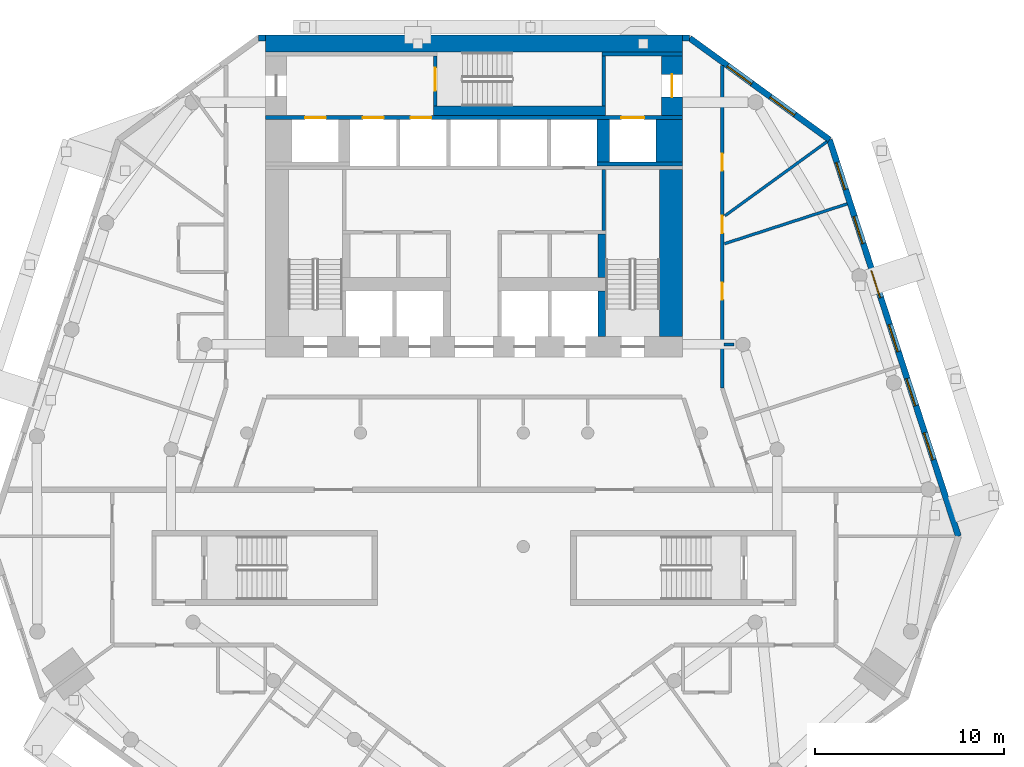
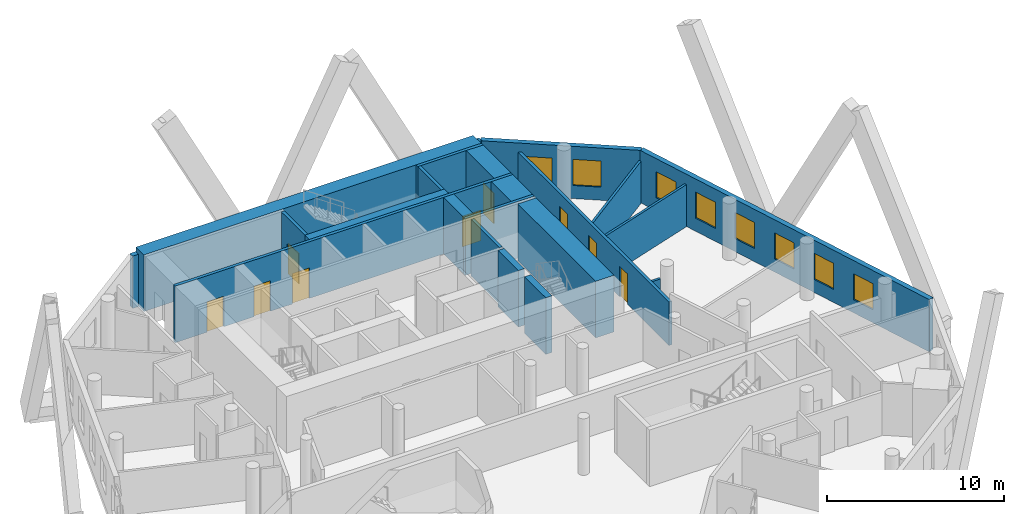
# One storey, part 7 of 10: 22 walls, 9 doors, 8 windows, 17 openings.
"""IFC4 building model written with IfcOpenShell, lengths in metres."""

from ifc_helpers import new_model, si_unit, direction, frame, frame_2d, origin, place, context, subcontext, project, spatial, rectangle, extrude, material, layer, layer_set, type_object, element, fill, save


model = new_model("IFC4")

# Units and contexts
model_context = context("Model", 3, precision=1e-05, world=origin(), true_north=direction((0.0, 1.0)))
body_context = subcontext(model_context, "Body", "Model", "MODEL_VIEW")
ifc_project = project(units=[si_unit("LENGTHUNIT", "METRE"), si_unit("AREAUNIT", "SQUARE_METRE"), si_unit("VOLUMEUNIT", "CUBIC_METRE"), si_unit("PLANEANGLEUNIT", "RADIAN"), si_unit("MASSUNIT", "GRAM", prefix="KILO")], contexts=[model_context])

# Site, building, storey
site_placement = place(None, origin())
site = spatial("IfcSite", under=ifc_project, at=site_placement, CompositionType="ELEMENT")
building_placement = place(site_placement, origin())
building = spatial("IfcBuilding", under=site, at=building_placement, Name="White Candle Pilgrim Tower", CompositionType="ELEMENT")
storey_placement = place(building_placement, frame((0.0, 0.0, 114.199951171875)))
storey = spatial("IfcBuildingStorey", under=building, at=storey_placement, Name="L25", CompositionType="ELEMENT", Elevation=114.199951171875)

# Wall, opening, door
ifc_material_1 = material(Name="Concrete C60/75", Category="concrete")
ifc_layer_1 = layer(ifc_material_1, 1.10009765625)
ifc_layer_set_1 = layer_set([ifc_layer_1], Name="Core wall 1100 mm Concrete C60/75")
wall_type_1 = type_object("IfcWallType", Name="Core wall 1100 mm Concrete C60/75", PredefinedType="SHEAR", material=ifc_layer_set_1)
wall_1_placement = place(storey_placement, frame((80.449951171875, 83.75, 0.0), z_axis=(0.0, 0.0, 1.0), x_axis=(0.0, 1.0, 0.0)))
wall_1 = element("IfcWall", 1, at=wall_1_placement, inside=storey, type_object=wall_type_1, Name="WL-L25-C46", PredefinedType="SHEAR", context=body_context, shape_type="SweptSolid", body=[
    extrude(rectangle(XDim=3.14990234375, YDim=1.10009765625, at=frame_2d((1.574951171875, 0.0))), origin(), (0.0, 0.0, 1.0), 3.900146484375),
])
opening_1_placement = place(wall_1_placement, frame((0.97509765625, 0.0, 0.0)))
opening_1 = element("IfcOpeningElement", 2, at=opening_1_placement, cuts=wall_1, Name="Opening T08-006", PredefinedType="OPENING", context=body_context, shape_type="SweptSolid", body=[
    extrude(rectangle(XDim=1.199951171875, YDim=2.10009765625, at=frame_2d((0.60009765625, 1.050048828125))), frame((0.0, 0.56005859375, 0.0), z_axis=(0.0, -1.0, 0.0), x_axis=(1.0, 0.0, 0.0)), (0.0, 0.0, 1.0), 1.1201171875),
])
ifc_material_2 = material(Name="Steel door leaf", Category="steel")
door_type_1 = type_object("IfcDoorType", Name="Fire door 1200 x 2100 EI 30", OperationType="NOTDEFINED", PredefinedType="DOOR", material=ifc_material_2)
door_1_placement = place(opening_1_placement, origin())
door_1 = element("IfcDoor", 3, at=door_1_placement, inside=storey, type_object=door_type_1, Name="Door T08-006", OperationType="SINGLE_SWING_RIGHT", OverallHeight=2.10009765625, OverallWidth=1.199951171875, PredefinedType="DOOR", context=body_context, shape_type="SweptSolid", body=[
    extrude(rectangle(XDim=1.199951171875, YDim=2.10009765625, at=frame_2d((0.60009765625, 1.050048828125))), frame((0.0, 0.02490234375, 0.0), z_axis=(0.0, -1.0, 0.0), x_axis=(1.0, 0.0, 0.0)), (0.0, 0.0, 1.0), 0.050048828125),
])
fill(opening_1, door_1)

# Walls
ifc_layer_2 = layer(ifc_material_1, 1.39990234375)
ifc_layer_set_2 = layer_set([ifc_layer_2], Name="Core wall 1400 mm Concrete C60/75")
wall_type_2 = type_object("IfcWallType", Name="Core wall 1400 mm Concrete C60/75", PredefinedType="SHEAR", material=ifc_layer_set_2)
wall_2_placement = place(storey_placement, frame((80.300048828125, 81.300048828125, 0.0), z_axis=(0.0, 0.0, 1.0), x_axis=(0.0, 1.0, 0.0)))
element("IfcWall", 4, at=wall_2_placement, inside=storey, type_object=wall_type_2, Name="WL-L25-C42", PredefinedType="SHEAR", context=body_context, shape_type="SweptSolid", body=[
    extrude(rectangle(XDim=2.25, YDim=1.39990234375, at=frame_2d((1.125, 0.0))), origin(), (0.0, 0.0, 1.0), 3.900146484375),
])
ifc_layer_3 = layer(ifc_material_1, 0.199951171875)
ifc_layer_set_3 = layer_set([ifc_layer_3], Name="Core wall 200 mm Concrete C60/75")
wall_type_3 = type_object("IfcWallType", Name="Core wall 200 mm Concrete C60/75", PredefinedType="SHEAR", material=ifc_layer_set_3)
wall_3_placement = place(storey_placement, frame((76.5, 81.199951171875, 0.0), z_axis=(0.0, 0.0, 1.0), x_axis=(1.0, 0.0, 0.0)))
element("IfcWall", 5, at=wall_3_placement, inside=storey, type_object=wall_type_3, Name="WL-L25-C38", PredefinedType="SHEAR", context=body_context, shape_type="SweptSolid", body=[
    extrude(rectangle(XDim=4.5, YDim=0.199951171875, at=frame_2d((2.25, 0.0))), origin(), (0.0, 0.0, 1.0), 3.900146484375),
])

# Wall, openings, doors
wall_4_placement = place(storey_placement, frame((59.0, 83.64990234375, 0.0), z_axis=(0.0, 0.0, 1.0), x_axis=(1.0, 0.0, 0.0)))
wall_4 = element("IfcWall", 6, at=wall_4_placement, inside=storey, type_object=wall_type_3, Name="WL-L25-C43", PredefinedType="SHEAR", context=body_context, shape_type="SweptSolid", body=[
    extrude(rectangle(XDim=22.0, YDim=0.199951171875, at=frame_2d((11.0, 0.0))), origin(), (0.0, 0.0, 1.0), 3.900146484375),
])
opening_2_placement = place(wall_4_placement, frame((5.125, 0.0, 0.0)))
opening_2 = element("IfcOpeningElement", 7, at=opening_2_placement, cuts=wall_4, Name="Opening T08-011", PredefinedType="OPENING", context=body_context, shape_type="SweptSolid", body=[
    extrude(rectangle(XDim=1.10009765625, YDim=2.10009765625, at=frame_2d((0.550048828125, 1.050048828125))), frame((0.0, 0.10986328125, 0.0), z_axis=(0.0, -1.0, 0.0), x_axis=(1.0, 0.0, 0.0)), (0.0, 0.0, 1.0), 0.219970703125),
])
opening_3_placement = place(wall_4_placement, frame((7.64990234375, 0.0, 0.0)))
opening_3 = element("IfcOpeningElement", 8, at=opening_3_placement, cuts=wall_4, Name="Opening T08-012", PredefinedType="OPENING", context=body_context, shape_type="SweptSolid", body=[
    extrude(rectangle(XDim=1.10009765625, YDim=2.10009765625, at=frame_2d((0.550048828125, 1.050048828125))), frame((0.0, 0.10986328125, 0.0), z_axis=(0.0, -1.0, 0.0), x_axis=(1.0, 0.0, 0.0)), (0.0, 0.0, 1.0), 0.219970703125),
])
opening_4_placement = place(wall_4_placement, frame((18.77490234375, 0.0, 0.0)))
opening_4 = element("IfcOpeningElement", 9, at=opening_4_placement, cuts=wall_4, Name="Opening T08-018", PredefinedType="OPENING", context=body_context, shape_type="SweptSolid", body=[
    extrude(rectangle(XDim=1.199951171875, YDim=2.10009765625, at=frame_2d((0.60009765625, 1.050048828125))), frame((0.0, 0.10986328125, 0.0), z_axis=(0.0, -1.0, 0.0), x_axis=(1.0, 0.0, 0.0)), (0.0, 0.0, 1.0), 0.219970703125),
])
opening_5_placement = place(wall_4_placement, frame((2.074951171875, 0.0, 0.0)))
opening_5 = element("IfcOpeningElement", 10, at=opening_5_placement, cuts=wall_4, Name="Opening T08-019", PredefinedType="OPENING", context=body_context, shape_type="SweptSolid", body=[
    extrude(rectangle(XDim=1.10009765625, YDim=2.10009765625, at=frame_2d((0.550048828125, 1.050048828125))), frame((0.0, 0.10986328125, 0.0), z_axis=(0.0, -1.0, 0.0), x_axis=(1.0, 0.0, 0.0)), (0.0, 0.0, 1.0), 0.219970703125),
])
ifc_material_3 = material(Name="Stainless steel", Category="steel")
door_type_2 = type_object("IfcDoorType", Name="Lift landing door 1100 x 2100 EI 60", OperationType="DOUBLE_DOOR_SLIDING", PredefinedType="DOOR", material=ifc_material_3)
door_2_placement = place(opening_2_placement, origin())
door_2 = element("IfcDoor", 11, at=door_2_placement, inside=storey, type_object=door_type_2, Name="Door T08-011", OperationType="DOUBLE_DOOR_SLIDING", OverallHeight=2.10009765625, OverallWidth=1.10009765625, PredefinedType="DOOR", context=body_context, shape_type="SweptSolid", body=[
    extrude(rectangle(XDim=1.10009765625, YDim=2.10009765625, at=frame_2d((0.550048828125, 1.050048828125))), frame((0.0, 0.02490234375, 0.0), z_axis=(0.0, -1.0, 0.0), x_axis=(1.0, 0.0, 0.0)), (0.0, 0.0, 1.0), 0.050048828125),
])
fill(opening_2, door_2)
door_3_placement = place(opening_3_placement, origin())
door_3 = element("IfcDoor", 12, at=door_3_placement, inside=storey, type_object=door_type_2, Name="Door T08-012", OperationType="DOUBLE_DOOR_SLIDING", OverallHeight=2.10009765625, OverallWidth=1.10009765625, PredefinedType="DOOR", context=body_context, shape_type="SweptSolid", body=[
    extrude(rectangle(XDim=1.10009765625, YDim=2.10009765625, at=frame_2d((0.550048828125, 1.050048828125))), frame((0.0, 0.02490234375, 0.0), z_axis=(0.0, -1.0, 0.0), x_axis=(1.0, 0.0, 0.0)), (0.0, 0.0, 1.0), 0.050048828125),
])
fill(opening_3, door_3)
door_4_placement = place(opening_5_placement, origin())
door_4 = element("IfcDoor", 13, at=door_4_placement, inside=storey, type_object=door_type_2, Name="Door T08-019", OperationType="DOUBLE_DOOR_SLIDING", OverallHeight=2.10009765625, OverallWidth=1.10009765625, PredefinedType="DOOR", context=body_context, shape_type="SweptSolid", body=[
    extrude(rectangle(XDim=1.10009765625, YDim=2.10009765625, at=frame_2d((0.550048828125, 1.050048828125))), frame((0.0, 0.02490234375, 0.0), z_axis=(0.0, -1.0, 0.0), x_axis=(1.0, 0.0, 0.0)), (0.0, 0.0, 1.0), 0.050048828125),
])
fill(opening_5, door_4)
door_type_3 = type_object("IfcDoorType", Name="Lift landing door 1200 x 2100 E 60", OperationType="DOUBLE_DOOR_SLIDING", PredefinedType="DOOR", material=ifc_material_3)
door_5_placement = place(opening_4_placement, origin())
door_5 = element("IfcDoor", 14, at=door_5_placement, inside=storey, type_object=door_type_3, Name="Door T08-018", OperationType="DOUBLE_DOOR_SLIDING", OverallHeight=2.10009765625, OverallWidth=1.199951171875, PredefinedType="DOOR", context=body_context, shape_type="SweptSolid", body=[
    extrude(rectangle(XDim=1.199951171875, YDim=2.10009765625, at=frame_2d((0.60009765625, 1.050048828125))), frame((0.0, 0.02490234375, 0.0), z_axis=(0.0, -1.0, 0.0), x_axis=(1.0, 0.0, 0.0)), (0.0, 0.0, 1.0), 0.050048828125),
])
fill(opening_4, door_5)

ifc_material_4 = material(Name="Gypsum board on steel studs", Category="steel")
ifc_layer_4 = layer(ifc_material_4, 0.199951171875)
ifc_layer_set_4 = layer_set([ifc_layer_4], Name="Corridor wall 200 mm EI 45")
wall_type_4 = type_object("IfcWallType", Name="Corridor wall 200 mm EI 45", PredefinedType="PARTITIONING", material=ifc_layer_set_4)
wall_5_placement = place(storey_placement, frame((83.10009765625, 86.396240234375, 0.0), z_axis=(0.0, 0.0, 1.0), x_axis=(0.0, -1.0, 0.0)))
wall_5 = element("IfcWall", 15, at=wall_5_placement, inside=storey, type_object=wall_type_4, Name="WL-L25-P004", PredefinedType="PARTITIONING", context=body_context, shape_type="SweptSolid", body=[
    extrude(rectangle(XDim=17.01123046875, YDim=0.199951171875, at=frame_2d((8.505615234375, 0.0))), origin(), (0.0, 0.0, 1.0), 3.0),
])
opening_6_placement = place(wall_5_placement, frame((4.6533203125, 0.0, 0.0)))
opening_6 = element("IfcOpeningElement", 16, at=opening_6_placement, cuts=wall_5, Name="Opening T08-124", PredefinedType="OPENING", context=body_context, shape_type="SweptSolid", body=[
    extrude(rectangle(XDim=0.89990234375, YDim=2.10009765625, at=frame_2d((0.449951171875, 1.050048828125))), frame((0.0, 0.10986328125, 0.0), z_axis=(0.0, -1.0, 0.0), x_axis=(1.0, 0.0, 0.0)), (0.0, 0.0, 1.0), 0.219970703125),
])
opening_7_placement = place(wall_5_placement, frame((7.943115234375, 0.0, 0.0)))
opening_7 = element("IfcOpeningElement", 17, at=opening_7_placement, cuts=wall_5, Name="Opening T08-125", PredefinedType="OPENING", context=body_context, shape_type="SweptSolid", body=[
    extrude(rectangle(XDim=0.89990234375, YDim=2.10009765625, at=frame_2d((0.449951171875, 1.050048828125))), frame((0.0, 0.10986328125, 0.0), z_axis=(0.0, -1.0, 0.0), x_axis=(1.0, 0.0, 0.0)), (0.0, 0.0, 1.0), 0.219970703125),
])
opening_8_placement = place(wall_5_placement, frame((11.457763671875, 0.0, 0.0)))
opening_8 = element("IfcOpeningElement", 18, at=opening_8_placement, cuts=wall_5, Name="Opening T08-126", PredefinedType="OPENING", context=body_context, shape_type="SweptSolid", body=[
    extrude(rectangle(XDim=0.89990234375, YDim=2.10009765625, at=frame_2d((0.449951171875, 1.050048828125))), frame((0.0, 0.10986328125, 0.0), z_axis=(0.0, -1.0, 0.0), x_axis=(1.0, 0.0, 0.0)), (0.0, 0.0, 1.0), 0.219970703125),
])
door_type_4 = type_object("IfcDoorType", Name="Fire door 900 x 2100 EI 30", OperationType="NOTDEFINED", PredefinedType="DOOR", material=ifc_material_2)
door_6_placement = place(opening_6_placement, origin())
door_6 = element("IfcDoor", 19, at=door_6_placement, inside=storey, type_object=door_type_4, Name="Door T08-124", OperationType="SINGLE_SWING_RIGHT", OverallHeight=2.10009765625, OverallWidth=0.89990234375, PredefinedType="DOOR", context=body_context, shape_type="SweptSolid", body=[
    extrude(rectangle(XDim=0.89990234375, YDim=2.10009765625, at=frame_2d((0.449951171875, 1.050048828125))), frame((0.0, 0.02490234375, 0.0), z_axis=(0.0, -1.0, 0.0), x_axis=(1.0, 0.0, 0.0)), (0.0, 0.0, 1.0), 0.050048828125),
])
fill(opening_6, door_6)
door_7_placement = place(opening_7_placement, origin())
door_7 = element("IfcDoor", 20, at=door_7_placement, inside=storey, type_object=door_type_4, Name="Door T08-125", OperationType="SINGLE_SWING_LEFT", OverallHeight=2.10009765625, OverallWidth=0.89990234375, PredefinedType="DOOR", context=body_context, shape_type="SweptSolid", body=[
    extrude(rectangle(XDim=0.89990234375, YDim=2.10009765625, at=frame_2d((0.449951171875, 1.050048828125))), frame((0.0, 0.02490234375, 0.0), z_axis=(0.0, -1.0, 0.0), x_axis=(1.0, 0.0, 0.0)), (0.0, 0.0, 1.0), 0.050048828125),
])
fill(opening_7, door_7)
door_8_placement = place(opening_8_placement, origin())
door_8 = element("IfcDoor", 21, at=door_8_placement, inside=storey, type_object=door_type_4, Name="Door T08-126", OperationType="SINGLE_SWING_RIGHT", OverallHeight=2.10009765625, OverallWidth=0.89990234375, PredefinedType="DOOR", context=body_context, shape_type="SweptSolid", body=[
    extrude(rectangle(XDim=0.89990234375, YDim=2.10009765625, at=frame_2d((0.449951171875, 1.050048828125))), frame((0.0, 0.02490234375, 0.0), z_axis=(0.0, -1.0, 0.0), x_axis=(1.0, 0.0, 0.0)), (0.0, 0.0, 1.0), 0.050048828125),
])
fill(opening_8, door_8)

# Wall, openings, windows
ifc_material_5 = material(Name="Precast concrete C40/50", Category="concrete")
ifc_layer_5 = layer(ifc_material_5, 0.320068359375)
ifc_layer_set_5 = layer_set([ifc_layer_5], Name="Facade wall EW1 precast concrete C40/50 pier wall with timber-lined reveals")
wall_type_5 = type_object("IfcWallType", Name="Facade wall EW1 precast concrete C40/50 pier wall with timber-lined reveals", PredefinedType="SOLIDWALL", material=ifc_layer_set_5)
wall_6_placement = place(storey_placement, frame((95.568603515625, 61.54296875, 0.0), z_axis=(0.0, 0.0, 1.0), x_axis=(-0.309014593053, 0.951057296529, 0.0)))
wall_6 = element("IfcWall", 22, at=wall_6_placement, inside=storey, type_object=wall_type_5, Name="Facade wall L25 ENE", PredefinedType="SOLIDWALL", context=body_context, shape_type="SweptSolid", body=[
    extrude(rectangle(XDim=22.01123046875, YDim=0.320068359375, at=frame_2d((11.005615234375, 0.0))), origin(), (0.0, 0.0, 1.0), 3.60009765625),
])
opening_9_placement = place(wall_6_placement, frame((4.255615234375, 0.0, 0.89990234375)))
opening_9 = element("IfcOpeningElement", 23, at=opening_9_placement, cuts=wall_6, Name="Opening W1", PredefinedType="OPENING", context=body_context, shape_type="SweptSolid", body=[
    extrude(rectangle(XDim=1.5, YDim=1.800048828125, at=frame_2d((0.75, 0.89990234375))), frame((0.0, 0.169921875, 0.0), z_axis=(0.0, -1.0, 0.0), x_axis=(1.0, 0.0, 0.0)), (0.0, 0.0, 1.0), 0.340087890625),
])
opening_10_placement = place(wall_6_placement, frame((7.255615234375, 0.0, 0.89990234375)))
opening_10 = element("IfcOpeningElement", 24, at=opening_10_placement, cuts=wall_6, Name="Opening W1", PredefinedType="OPENING", context=body_context, shape_type="SweptSolid", body=[
    extrude(rectangle(XDim=1.5, YDim=1.800048828125, at=frame_2d((0.75, 0.89990234375))), frame((0.0, 0.169921875, 0.0), z_axis=(0.0, -1.0, 0.0), x_axis=(1.0, 0.0, 0.0)), (0.0, 0.0, 1.0), 0.340087890625),
])
opening_11_placement = place(wall_6_placement, frame((10.255615234375, 0.0, 0.89990234375)))
opening_11 = element("IfcOpeningElement", 25, at=opening_11_placement, cuts=wall_6, Name="Opening W1", PredefinedType="OPENING", context=body_context, shape_type="SweptSolid", body=[
    extrude(rectangle(XDim=1.5, YDim=1.800048828125, at=frame_2d((0.75, 0.89990234375))), frame((0.0, 0.169921875, 0.0), z_axis=(0.0, -1.0, 0.0), x_axis=(1.0, 0.0, 0.0)), (0.0, 0.0, 1.0), 0.340087890625),
])
opening_12_placement = place(wall_6_placement, frame((13.255615234375, 0.0, 0.89990234375)))
opening_12 = element("IfcOpeningElement", 26, at=opening_12_placement, cuts=wall_6, Name="Opening W1", PredefinedType="OPENING", context=body_context, shape_type="SweptSolid", body=[
    extrude(rectangle(XDim=1.5, YDim=1.800048828125, at=frame_2d((0.75, 0.89990234375))), frame((0.0, 0.169921875, 0.0), z_axis=(0.0, -1.0, 0.0), x_axis=(1.0, 0.0, 0.0)), (0.0, 0.0, 1.0), 0.340087890625),
])
opening_13_placement = place(wall_6_placement, frame((16.255615234375, 0.0, 0.89990234375)))
opening_13 = element("IfcOpeningElement", 27, at=opening_13_placement, cuts=wall_6, Name="Opening W1", PredefinedType="OPENING", context=body_context, shape_type="SweptSolid", body=[
    extrude(rectangle(XDim=1.5, YDim=1.800048828125, at=frame_2d((0.75, 0.89990234375))), frame((0.0, 0.169921875, 0.0), z_axis=(0.0, -1.0, 0.0), x_axis=(1.0, 0.0, 0.0)), (0.0, 0.0, 1.0), 0.340087890625),
])
opening_14_placement = place(wall_6_placement, frame((19.255615234375, 0.0, 0.89990234375)))
opening_14 = element("IfcOpeningElement", 28, at=opening_14_placement, cuts=wall_6, Name="Opening W1", PredefinedType="OPENING", context=body_context, shape_type="SweptSolid", body=[
    extrude(rectangle(XDim=1.5, YDim=1.800048828125, at=frame_2d((0.75, 0.89990234375))), frame((0.0, 0.169921875, 0.0), z_axis=(0.0, -1.0, 0.0), x_axis=(1.0, 0.0, 0.0)), (0.0, 0.0, 1.0), 0.340087890625),
])
ifc_material_6 = material(Name="Timber frame with triple glazing", Category="wood")
window_type_1 = type_object("IfcWindowType", Name="Window W1 1500x1800 timber frame triple glazing", PartitioningType="SINGLE_PANEL", PredefinedType="WINDOW", material=ifc_material_6)
window_1_placement = place(opening_9_placement, origin())
window_1 = element("IfcWindow", 29, at=window_1_placement, inside=storey, type_object=window_type_1, Name="Window W1 L25 ENE 2", OverallHeight=1.800048828125, OverallWidth=1.5, PartitioningType="SINGLE_PANEL", PredefinedType="WINDOW", context=body_context, shape_type="SweptSolid", body=[
    extrude(rectangle(XDim=1.5, YDim=1.800048828125, at=frame_2d((0.75, 0.89990234375))), frame((0.0, 0.070068359375, 0.0), z_axis=(0.0, -1.0, 0.0), x_axis=(1.0, 0.0, 0.0)), (0.0, 0.0, 1.0), 0.06005859375),
])
fill(opening_9, window_1)
window_2_placement = place(opening_10_placement, origin())
window_2 = element("IfcWindow", 30, at=window_2_placement, inside=storey, type_object=window_type_1, Name="Window W1 L25 ENE 3", OverallHeight=1.800048828125, OverallWidth=1.5, PartitioningType="SINGLE_PANEL", PredefinedType="WINDOW", context=body_context, shape_type="SweptSolid", body=[
    extrude(rectangle(XDim=1.5, YDim=1.800048828125, at=frame_2d((0.75, 0.89990234375))), frame((0.0, 0.070068359375, 0.0), z_axis=(0.0, -1.0, 0.0), x_axis=(1.0, 0.0, 0.0)), (0.0, 0.0, 1.0), 0.06005859375),
])
fill(opening_10, window_2)
window_3_placement = place(opening_11_placement, origin())
window_3 = element("IfcWindow", 31, at=window_3_placement, inside=storey, type_object=window_type_1, Name="Window W1 L25 ENE 4", OverallHeight=1.800048828125, OverallWidth=1.5, PartitioningType="SINGLE_PANEL", PredefinedType="WINDOW", context=body_context, shape_type="SweptSolid", body=[
    extrude(rectangle(XDim=1.5, YDim=1.800048828125, at=frame_2d((0.75, 0.89990234375))), frame((0.0, 0.070068359375, 0.0), z_axis=(0.0, -1.0, 0.0), x_axis=(1.0, 0.0, 0.0)), (0.0, 0.0, 1.0), 0.06005859375),
])
fill(opening_11, window_3)
window_4_placement = place(opening_12_placement, origin())
window_4 = element("IfcWindow", 32, at=window_4_placement, inside=storey, type_object=window_type_1, Name="Window W1 L25 ENE 5", OverallHeight=1.800048828125, OverallWidth=1.5, PartitioningType="SINGLE_PANEL", PredefinedType="WINDOW", context=body_context, shape_type="SweptSolid", body=[
    extrude(rectangle(XDim=1.5, YDim=1.800048828125, at=frame_2d((0.75, 0.89990234375))), frame((0.0, 0.070068359375, 0.0), z_axis=(0.0, -1.0, 0.0), x_axis=(1.0, 0.0, 0.0)), (0.0, 0.0, 1.0), 0.06005859375),
])
fill(opening_12, window_4)
window_5_placement = place(opening_13_placement, origin())
window_5 = element("IfcWindow", 33, at=window_5_placement, inside=storey, type_object=window_type_1, Name="Window W1 L25 ENE 6", OverallHeight=1.800048828125, OverallWidth=1.5, PartitioningType="SINGLE_PANEL", PredefinedType="WINDOW", context=body_context, shape_type="SweptSolid", body=[
    extrude(rectangle(XDim=1.5, YDim=1.800048828125, at=frame_2d((0.75, 0.89990234375))), frame((0.0, 0.070068359375, 0.0), z_axis=(0.0, -1.0, 0.0), x_axis=(1.0, 0.0, 0.0)), (0.0, 0.0, 1.0), 0.06005859375),
])
fill(opening_13, window_5)
window_6_placement = place(opening_14_placement, origin())
window_6 = element("IfcWindow", 34, at=window_6_placement, inside=storey, type_object=window_type_1, Name="Window W1 L25 ENE 7", OverallHeight=1.800048828125, OverallWidth=1.5, PartitioningType="SINGLE_PANEL", PredefinedType="WINDOW", context=body_context, shape_type="SweptSolid", body=[
    extrude(rectangle(XDim=1.5, YDim=1.800048828125, at=frame_2d((0.75, 0.89990234375))), frame((0.0, 0.070068359375, 0.0), z_axis=(0.0, -1.0, 0.0), x_axis=(1.0, 0.0, 0.0)), (0.0, 0.0, 1.0), 0.06005859375),
])
fill(opening_14, window_6)

wall_7_placement = place(storey_placement, frame((88.766845703125, 82.476806640625, 0.0), z_axis=(0.0, 0.0, 1.0), x_axis=(-0.809013684675, 0.587789807677, 0.0)))
wall_7 = element("IfcWall", 35, at=wall_7_placement, inside=storey, type_object=wall_type_5, Name="Facade wall L25 NE chamfer", PredefinedType="SOLIDWALL", context=body_context, shape_type="SweptSolid", body=[
    extrude(rectangle(XDim=9.12451171875, YDim=0.320068359375, at=frame_2d((4.562255859375, 0.0))), origin(), (0.0, 0.0, 1.0), 3.60009765625),
])
opening_15_placement = place(wall_7_placement, frame((2.26220703125, 0.0, 0.89990234375)))
opening_15 = element("IfcOpeningElement", 36, at=opening_15_placement, cuts=wall_7, Name="Opening W2", PredefinedType="OPENING", context=body_context, shape_type="SweptSolid", body=[
    extrude(rectangle(XDim=1.60009765625, YDim=1.800048828125, at=frame_2d((0.800048828125, 0.89990234375))), frame((0.0, 0.169921875, 0.0), z_axis=(0.0, -1.0, 0.0), x_axis=(1.0, 0.0, 0.0)), (0.0, 0.0, 1.0), 0.340087890625),
])
opening_16_placement = place(wall_7_placement, frame((5.062255859375, 0.0, 0.89990234375)))
opening_16 = element("IfcOpeningElement", 37, at=opening_16_placement, cuts=wall_7, Name="Opening W2", PredefinedType="OPENING", context=body_context, shape_type="SweptSolid", body=[
    extrude(rectangle(XDim=1.60009765625, YDim=1.800048828125, at=frame_2d((0.800048828125, 0.89990234375))), frame((0.0, 0.169921875, 0.0), z_axis=(0.0, -1.0, 0.0), x_axis=(1.0, 0.0, 0.0)), (0.0, 0.0, 1.0), 0.340087890625),
])
window_type_2 = type_object("IfcWindowType", Name="Window W2 1600x1800 timber frame triple glazing", PartitioningType="SINGLE_PANEL", PredefinedType="WINDOW", material=ifc_material_6)
window_7_placement = place(opening_15_placement, origin())
window_7 = element("IfcWindow", 38, at=window_7_placement, inside=storey, type_object=window_type_2, Name="Window W2 L25 NE chamfer 1", OverallHeight=1.800048828125, OverallWidth=1.60009765625, PartitioningType="SINGLE_PANEL", PredefinedType="WINDOW", context=body_context, shape_type="SweptSolid", body=[
    extrude(rectangle(XDim=1.60009765625, YDim=1.800048828125, at=frame_2d((0.800048828125, 0.89990234375))), frame((0.0, 0.070068359375, 0.0), z_axis=(0.0, -1.0, 0.0), x_axis=(1.0, 0.0, 0.0)), (0.0, 0.0, 1.0), 0.06005859375),
])
fill(opening_15, window_7)
window_8_placement = place(opening_16_placement, origin())
window_8 = element("IfcWindow", 39, at=window_8_placement, inside=storey, type_object=window_type_2, Name="Window W2 L25 NE chamfer 2", OverallHeight=1.800048828125, OverallWidth=1.60009765625, PartitioningType="SINGLE_PANEL", PredefinedType="WINDOW", context=body_context, shape_type="SweptSolid", body=[
    extrude(rectangle(XDim=1.60009765625, YDim=1.800048828125, at=frame_2d((0.800048828125, 0.89990234375))), frame((0.0, 0.070068359375, 0.0), z_axis=(0.0, -1.0, 0.0), x_axis=(1.0, 0.0, 0.0)), (0.0, 0.0, 1.0), 0.06005859375),
])
fill(opening_16, window_8)

# Walls
for number, where, z_axis, x_axis, name in (
    (40, (81.385009765625, 87.840087890625, 0.0), (0.0, 0.0, 1.0), (-1.0, 0.0, 0.0), "Facade wall L25 N"),
    (41, (59.0, 87.840087890625, 0.0), (0.0, 0.0, 1.0), (-1.0, 0.0, 0.0), "Facade wall L25 N"),
):
    element("IfcWall", number, at=place(storey_placement, frame(where, z_axis=z_axis, x_axis=x_axis)), inside=storey, type_object=wall_type_5, Name=name, PredefinedType="SOLIDWALL", context=body_context, shape_type="SweptSolid", body=[
        extrude(rectangle(XDim=0.385009765625, YDim=0.320068359375, at=frame_2d((0.1923828125, 0.0))), origin(), (0.0, 0.0, 1.0), 3.60009765625),
    ])
ifc_layer_6 = layer(ifc_material_4, 0.14990234375)
ifc_layer_set_6 = layer_set([ifc_layer_6], Name="Partition 150 mm EI 60")
wall_type_6 = type_object("IfcWallType", Name="Partition 150 mm EI 60", PredefinedType="PARTITIONING", material=ifc_layer_set_6)
wall_8_placement = place(storey_placement, frame((88.630859375, 82.3779296875, 0.0), z_axis=(0.0, 0.0, 1.0), x_axis=(-0.809007131432, -0.587798827229, 0.0)))
element("IfcWall", 42, at=wall_8_placement, inside=storey, type_object=wall_type_6, Name="WL-L25-P023", PredefinedType="PARTITIONING", context=body_context, shape_type="SweptSolid", body=[
    extrude(rectangle(XDim=6.658447265625, YDim=0.14990234375, at=frame_2d((3.3291015625, 0.0))), origin(), (0.0, 0.0, 1.0), 2.900146484375),
])
wall_9_placement = place(storey_placement, frame((89.697998046875, 79.093505859375, 0.0), z_axis=(0.0, 0.0, 1.0), x_axis=(-0.951048034786, -0.309043096557, 0.0)))
element("IfcWall", 43, at=wall_9_placement, inside=storey, type_object=wall_type_6, Name="WL-L25-P048", PredefinedType="PARTITIONING", context=body_context, shape_type="SweptSolid", body=[
    extrude(rectangle(XDim=6.80810546875, YDim=0.14990234375, at=frame_2d((3.404052734375, 0.0))), origin(), (0.0, 0.0, 1.0), 2.900146484375),
])
wall_10_placement = place(storey_placement, frame((83.735107421875, 71.667724609375, 0.0), z_axis=(0.0, 0.0, 1.0), x_axis=(-1.0, 0.0, 0.0)))
element("IfcWall", 44, at=wall_10_placement, inside=storey, type_object=wall_type_6, Name="WL-L25-P056", PredefinedType="PARTITIONING", context=body_context, shape_type="SweptSolid", body=[
    extrude(rectangle(XDim=0.53515625, YDim=0.14990234375, at=frame_2d((0.267578125, 0.0))), origin(), (0.0, 0.0, 1.0), 3.0),
])
ifc_layer_7 = layer(ifc_material_1, 0.64990234375)
ifc_layer_set_7 = layer_set([ifc_layer_7], Name="Shaft wall 650 mm Concrete C60/75")
wall_type_7 = type_object("IfcWallType", Name="Shaft wall 650 mm Concrete C60/75", PredefinedType="SHEAR", material=ifc_layer_set_7)
wall_11_placement = place(storey_placement, frame((76.824951171875, 81.300048828125, 0.0), z_axis=(0.0, 0.0, 1.0), x_axis=(0.0, 1.0, 0.0)))
element("IfcWall", 45, at=wall_11_placement, inside=storey, type_object=wall_type_7, Name="WL-L25-C41", PredefinedType="SHEAR", context=body_context, shape_type="SweptSolid", body=[
    extrude(rectangle(XDim=2.25, YDim=0.64990234375, at=frame_2d((1.125, 0.0))), origin(), (0.0, 0.0, 1.0), 3.900146484375),
])
ifc_layer_8 = layer(ifc_material_1, 1.199951171875)
ifc_layer_set_8 = layer_set([ifc_layer_8], Name="Stair shaft wall 1200 mm Concrete C60/75")
wall_type_8 = type_object("IfcWallType", Name="Stair shaft wall 1200 mm Concrete C60/75", PredefinedType="SHEAR", material=ifc_layer_set_8)
wall_12_placement = place(storey_placement, frame((80.39990234375, 72.10009765625, 0.0), z_axis=(0.0, 0.0, 1.0), x_axis=(0.0, 1.0, 0.0)))
element("IfcWall", 46, at=wall_12_placement, inside=storey, type_object=wall_type_8, Name="WL-L25-C19", PredefinedType="SHEAR", context=body_context, shape_type="SweptSolid", body=[
    extrude(rectangle(XDim=8.7998046875, YDim=1.199951171875, at=frame_2d((4.39990234375, 0.0))), origin(), (0.0, 0.0, 1.0), 3.900146484375),
])
ifc_layer_9 = layer(ifc_material_1, 0.199951171875)
ifc_layer_set_9 = layer_set([ifc_layer_9], Name="Stair shaft wall 200 mm Concrete C60/75")
wall_type_9 = type_object("IfcWallType", Name="Stair shaft wall 200 mm Concrete C60/75", PredefinedType="SHEAR", material=ifc_layer_set_9)
wall_13_placement = place(storey_placement, frame((76.85009765625, 77.699951171875, 0.0), z_axis=(0.0, 0.0, 1.0), x_axis=(0.0, 1.0, 0.0)))
element("IfcWall", 47, at=wall_13_placement, inside=storey, type_object=wall_type_9, Name="WL-L25-C31", PredefinedType="SHEAR", context=body_context, shape_type="SweptSolid", body=[
    extrude(rectangle(XDim=3.199951171875, YDim=0.199951171875, at=frame_2d((1.60009765625, 0.0))), origin(), (0.0, 0.0, 1.0), 3.900146484375),
])

# Wall, opening, door
wall_14_placement = place(storey_placement, frame((67.949951171875, 84.25, 0.0), z_axis=(0.0, 0.0, 1.0), x_axis=(0.0, 1.0, 0.0)))
wall_14 = element("IfcWall", 48, at=wall_14_placement, inside=storey, type_object=wall_type_9, Name="WL-L25-C47", PredefinedType="SHEAR", context=body_context, shape_type="SweptSolid", body=[
    extrude(rectangle(XDim=2.64990234375, YDim=0.199951171875, at=frame_2d((1.324951171875, 0.0))), origin(), (0.0, 0.0, 1.0), 3.900146484375),
])
opening_17_placement = place(wall_14_placement, frame((0.824951171875, 0.0, 0.0)))
opening_17 = element("IfcOpeningElement", 49, at=opening_17_placement, cuts=wall_14, Name="Opening T08-003", PredefinedType="OPENING", context=body_context, shape_type="SweptSolid", body=[
    extrude(rectangle(XDim=1.199951171875, YDim=2.10009765625, at=frame_2d((0.60009765625, 1.050048828125))), frame((0.0, 0.10986328125, 0.0), z_axis=(0.0, -1.0, 0.0), x_axis=(1.0, 0.0, 0.0)), (0.0, 0.0, 1.0), 0.219970703125),
])
door_type_5 = type_object("IfcDoorType", Name="Fire door 1200 x 2100 EI 60", OperationType="NOTDEFINED", PredefinedType="DOOR", material=ifc_material_2)
door_9_placement = place(opening_17_placement, frame((1.199951171875, 0.0, 0.0), z_axis=(0.0, 0.0, 1.0), x_axis=(-1.0, 0.0, 0.0)))
door_9 = element("IfcDoor", 50, at=door_9_placement, inside=storey, type_object=door_type_5, Name="Door T08-003", OperationType="SINGLE_SWING_RIGHT", OverallHeight=2.10009765625, OverallWidth=1.199951171875, PredefinedType="DOOR", context=body_context, shape_type="SweptSolid", body=[
    extrude(rectangle(XDim=1.199951171875, YDim=2.10009765625, at=frame_2d((0.60009765625, 1.050048828125))), frame((0.0, 0.02490234375, 0.0), z_axis=(0.0, -1.0, 0.0), x_axis=(1.0, 0.0, 0.0)), (0.0, 0.0, 1.0), 0.050048828125),
])
fill(opening_17, door_9)

# Walls
wall_15_placement = place(storey_placement, frame((76.85009765625, 84.25, 0.0), z_axis=(0.0, 0.0, 1.0), x_axis=(0.0, 1.0, 0.0)))
element("IfcWall", 51, at=wall_15_placement, inside=storey, type_object=wall_type_9, Name="WL-L25-C48", PredefinedType="SHEAR", context=body_context, shape_type="SweptSolid", body=[
    extrude(rectangle(XDim=2.64990234375, YDim=0.199951171875, at=frame_2d((1.324951171875, 0.0))), origin(), (0.0, 0.0, 1.0), 3.900146484375),
])
wall_16_placement = place(storey_placement, frame((76.75, 87.0, 0.0), z_axis=(0.0, 0.0, 1.0), x_axis=(1.0, 0.0, 0.0)))
element("IfcWall", 52, at=wall_16_placement, inside=storey, type_object=wall_type_9, Name="WL-L25-C50", PredefinedType="SHEAR", context=body_context, shape_type="SweptSolid", body=[
    extrude(rectangle(XDim=4.25, YDim=0.199951171875, at=frame_2d((2.125, 0.0))), origin(), (0.0, 0.0, 1.0), 3.900146484375),
])
ifc_layer_10 = layer(ifc_material_1, 0.39990234375)
ifc_layer_set_10 = layer_set([ifc_layer_10], Name="Stair shaft wall 400 mm Concrete C60/75")
wall_type_10 = type_object("IfcWallType", Name="Stair shaft wall 400 mm Concrete C60/75", PredefinedType="SHEAR", material=ifc_layer_set_10)
wall_17_placement = place(storey_placement, frame((76.75, 72.10009765625, 0.0), z_axis=(0.0, 0.0, 1.0), x_axis=(0.0, 1.0, 0.0)))
element("IfcWall", 53, at=wall_17_placement, inside=storey, type_object=wall_type_10, Name="WL-L25-C18", PredefinedType="SHEAR", context=body_context, shape_type="SweptSolid", body=[
    extrude(rectangle(XDim=2.39990234375, YDim=0.39990234375, at=frame_2d((1.199951171875, 0.0))), origin(), (0.0, 0.0, 1.0), 3.900146484375),
])
wall_18_placement = place(storey_placement, frame((76.75, 75.199951171875, 0.0), z_axis=(0.0, 0.0, 1.0), x_axis=(0.0, 1.0, 0.0)))
element("IfcWall", 54, at=wall_18_placement, inside=storey, type_object=wall_type_10, Name="WL-L25-C27", PredefinedType="SHEAR", context=body_context, shape_type="SweptSolid", body=[
    extrude(rectangle(XDim=2.300048828125, YDim=0.39990234375, at=frame_2d((1.14990234375, 0.0))), origin(), (0.0, 0.0, 1.0), 3.900146484375),
])
ifc_layer_11 = layer(ifc_material_1, 0.5)
ifc_layer_set_11 = layer_set([ifc_layer_11], Name="Stair shaft wall 500 mm Concrete C60/75")
wall_type_11 = type_object("IfcWallType", Name="Stair shaft wall 500 mm Concrete C60/75", PredefinedType="SHEAR", material=ifc_layer_set_11)
wall_19_placement = place(storey_placement, frame((67.85009765625, 84.0, 0.0), z_axis=(0.0, 0.0, 1.0), x_axis=(1.0, 0.0, 0.0)))
element("IfcWall", 55, at=wall_19_placement, inside=storey, type_object=wall_type_11, Name="WL-L25-C45", PredefinedType="SHEAR", context=body_context, shape_type="SweptSolid", body=[
    extrude(rectangle(XDim=9.099853515625, YDim=0.5, at=frame_2d((4.5498046875, 0.0))), origin(), (0.0, 0.0, 1.0), 3.900146484375),
])
ifc_layer_12 = layer(ifc_material_1, 0.89990234375)
ifc_layer_set_12 = layer_set([ifc_layer_12], Name="Stair shaft wall 900 mm Concrete C60/75")
wall_type_12 = type_object("IfcWallType", Name="Stair shaft wall 900 mm Concrete C60/75", PredefinedType="SHEAR", material=ifc_layer_set_12)
wall_20_placement = place(storey_placement, frame((59.0, 87.550048828125, 0.0), z_axis=(0.0, 0.0, 1.0), x_axis=(1.0, 0.0, 0.0)))
element("IfcWall", 56, at=wall_20_placement, inside=storey, type_object=wall_type_12, Name="WL-L25-C51", PredefinedType="SHEAR", context=body_context, shape_type="SweptSolid", body=[
    extrude(rectangle(XDim=22.0, YDim=0.89990234375, at=frame_2d((11.0, 0.0))), origin(), (0.0, 0.0, 1.0), 3.900146484375),
])

save(model, "model.ifc")
